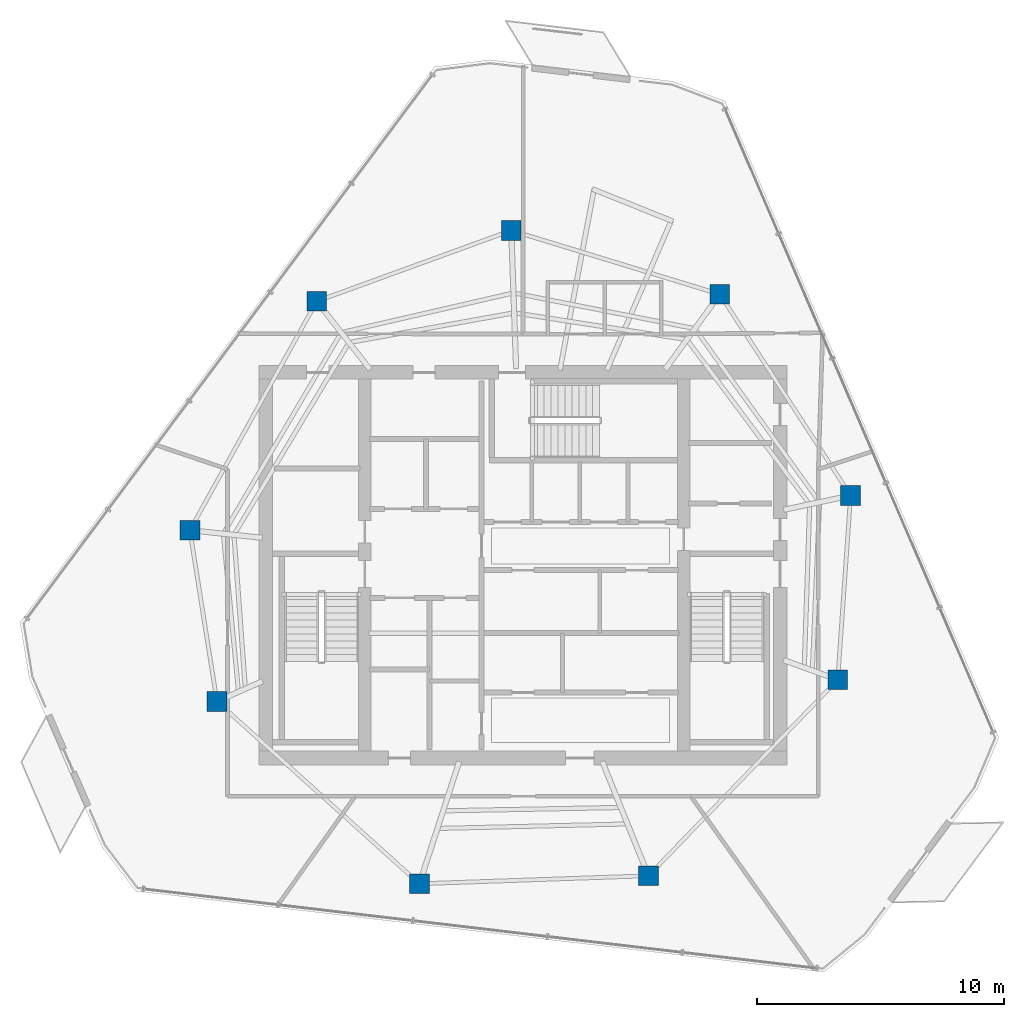
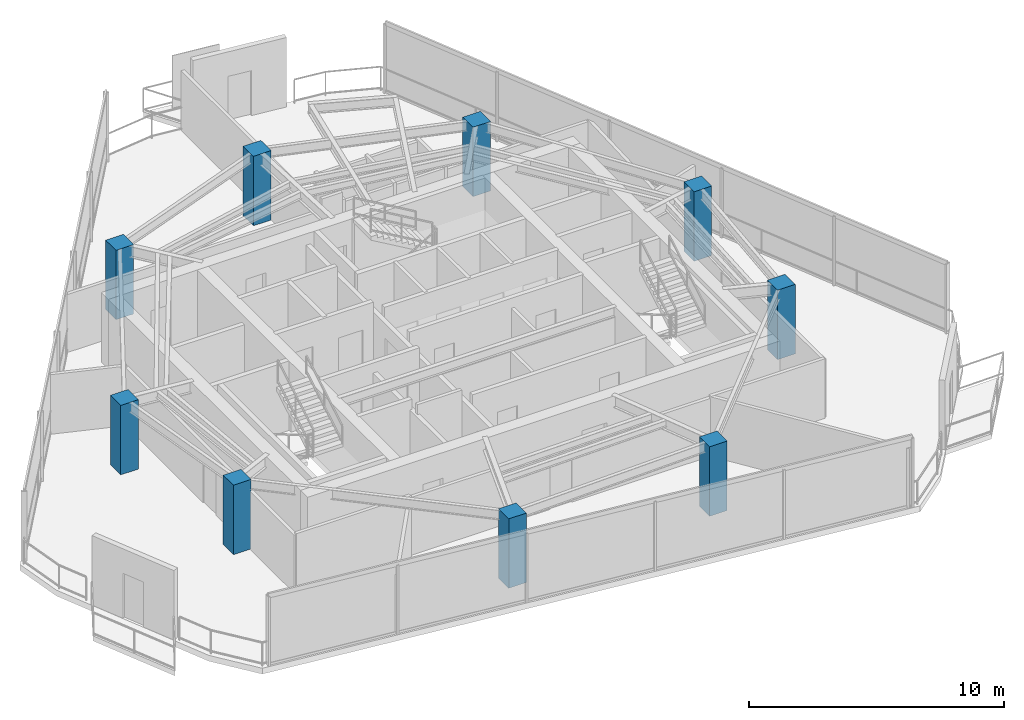
# One storey, part 1 of 18: 9 columns.
"""IFC4 building model written with IfcOpenShell, lengths in metres."""

from ifc_helpers import new_model, si_unit, direction, frame, origin, origin_2d, place, context, subcontext, project, spatial, rectangle, extrude, material, material_profile, profile_set, type_object, element, save


model = new_model("IFC4")

# Units and contexts
model_context = context("Model", 3, precision=1e-05, world=origin(), true_north=direction((0.0, 1.0)))
body_context = subcontext(model_context, "Body", "Model", "MODEL_VIEW")
ifc_project = project(units=[si_unit("LENGTHUNIT", "METRE"), si_unit("AREAUNIT", "SQUARE_METRE"), si_unit("VOLUMEUNIT", "CUBIC_METRE"), si_unit("PLANEANGLEUNIT", "RADIAN"), si_unit("MASSUNIT", "GRAM", prefix="KILO")], contexts=[model_context])

# Site, building, storey
site_placement = place(None, origin())
site = spatial("IfcSite", under=ifc_project, at=site_placement, CompositionType="ELEMENT")
building_placement = place(site_placement, origin())
building = spatial("IfcBuilding", under=site, at=building_placement, Name="Qarnah Convention Tower", CompositionType="ELEMENT")
storey_placement = place(building_placement, frame((0.0, 0.0, 267.89990234375)))
storey = spatial("IfcBuildingStorey", under=building, at=storey_placement, Name="L72", CompositionType="ELEMENT", Elevation=267.89990234375)

# Columns
ifc_material = material(Name="Concrete C50/60", Category="concrete")
ifc_material_profile = material_profile(ifc_material, rectangle(XDim=0.800048828125, YDim=0.800048828125, at=origin_2d()), Name="RC-COL-800X800")
ifc_profile_set = profile_set([ifc_material_profile], Name="Concrete C50/60")
column_type = type_object("IfcColumnType", Name="COL-Z5-800", PredefinedType="COLUMN", material=ifc_profile_set)
for number, where, z_axis, x_axis, name in (
    (1, (50.4541015625, 29.217041015625, 0.0), (0.0, 0.0, 1.0), (1.0, 0.0, 0.0), "L72 plumb column PC-Z5-01"),
    (2, (45.1640625, 37.362060546875, 0.0), (0.0, 0.0, 1.0), (1.0, 0.0, 0.0), "L72 plumb column PC-Z5-02"),
    (3, (36.72705078125, 39.94189453125, 0.0), (0.0, 0.0, 1.0), (1.0, 0.0, 0.0), "L72 plumb column PC-Z5-03"),
    (4, (28.85791015625, 37.077880859375, 0.0), (0.0, 0.0, 1.0), (1.0, 0.0, 0.0), "L72 plumb column PC-Z5-04"),
    (5, (23.72412109375, 27.81591796875, 0.0), (0.0, 0.0, 1.0), (1.0, 0.0, 0.0), "L72 plumb column PC-Z5-05"),
    (6, (24.821044921875, 20.888916015625, 0.0), (0.0, 0.0, 1.0), (1.0, 0.0, 0.0), "L72 plumb column PC-Z5-06"),
    (7, (33.012939453125, 13.512939453125, 0.0), (0.0, 0.0, 1.0), (1.0, 0.0, 0.0), "L72 plumb column PC-Z5-07"),
    (8, (42.27587890625, 13.8369140625, 0.0), (0.0, 0.0, 1.0), (1.0, 0.0, 0.0), "L72 plumb column PC-Z5-08"),
    (9, (49.93310546875, 21.76611328125, 0.0), (0.0, 0.0, 1.0), (1.0, 0.0, 0.0), "L72 plumb column PC-Z5-09"),
):
    element("IfcColumn", number, at=place(storey_placement, frame(where, z_axis=z_axis, x_axis=x_axis)), inside=storey, type_object=column_type, Name=name, PredefinedType="COLUMN", context=body_context, shape_type="SweptSolid", body=[
        extrude(rectangle(XDim=0.800048828125, YDim=0.800048828125, at=origin_2d()), origin(), (0.0, 0.0, 1.0), 3.320068359375),
    ])

save(model, "model.ifc")
